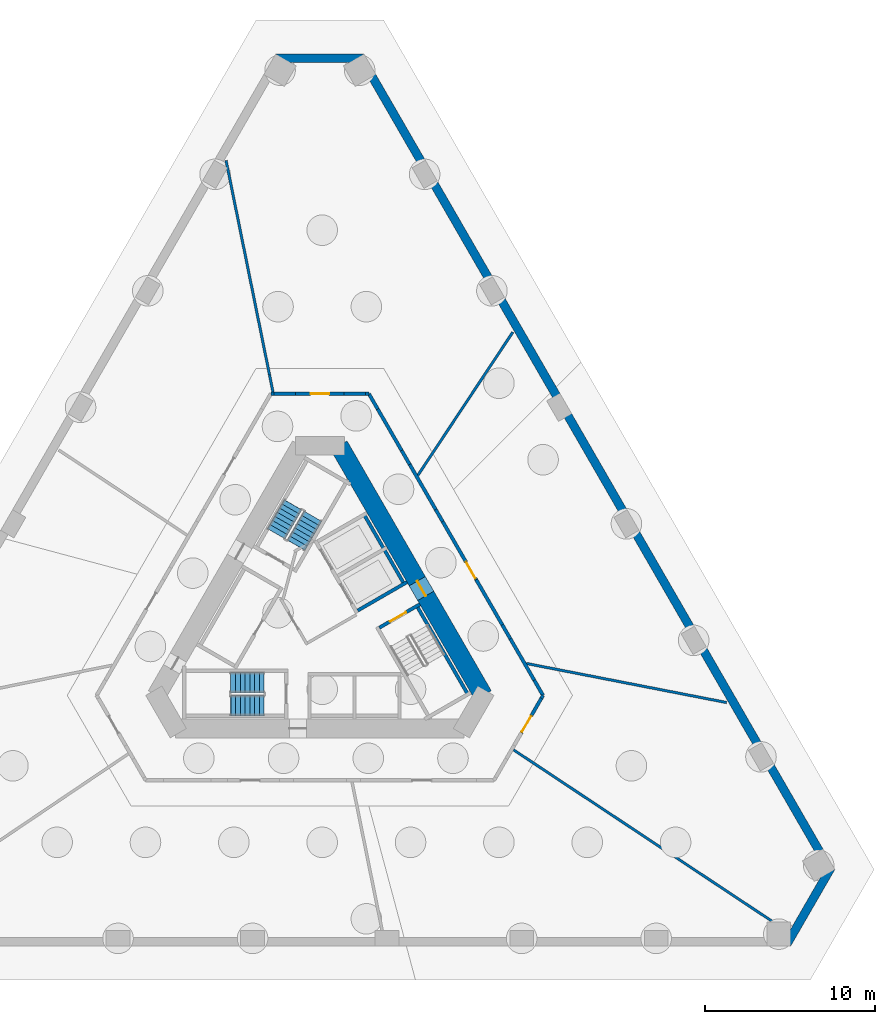
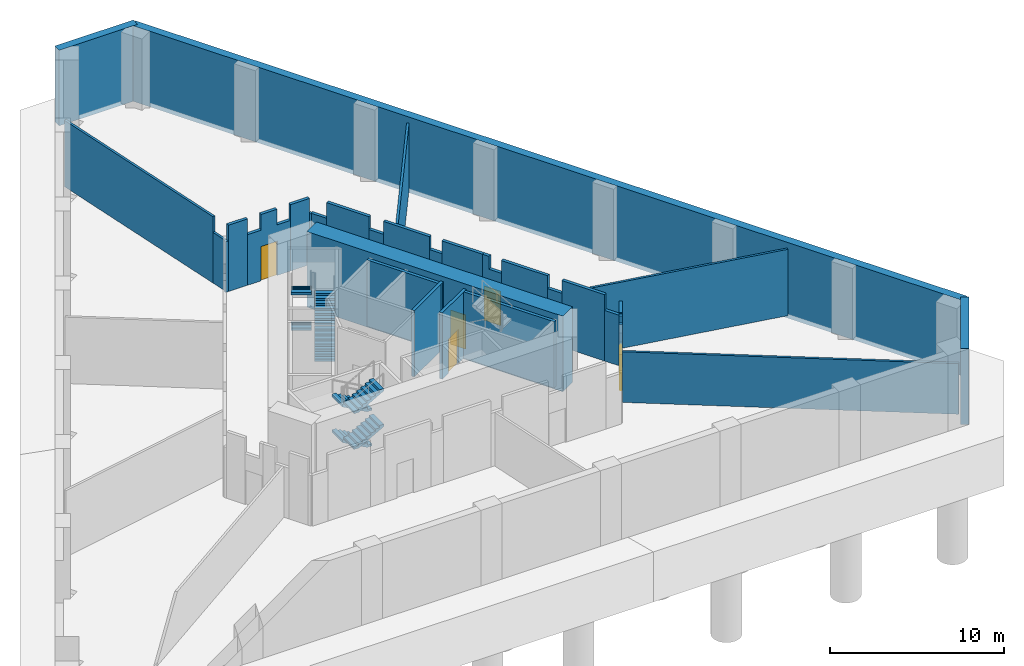
# One storey, part 4 of 7: 32 walls, 8 stair flights, 5 doors, 5 openings, 2 elements without a shape of their own.
"""IFC4 building model written with IfcOpenShell, lengths in metres."""

from ifc_helpers import new_model, si_unit, direction, frame, frame_2d, origin, place, context, subcontext, project, spatial, polyline, rectangle, outline, extrude, material, layer, layer_set, type_object, element, fill, aggregate, save


model = new_model("IFC4")

# Units and contexts
model_context = context("Model", 3, precision=1e-05, world=origin(), true_north=direction((0.0, 1.0)))
body_context = subcontext(model_context, "Body", "Model", "MODEL_VIEW")
ifc_project = project(units=[si_unit("LENGTHUNIT", "METRE"), si_unit("AREAUNIT", "SQUARE_METRE"), si_unit("VOLUMEUNIT", "CUBIC_METRE"), si_unit("PLANEANGLEUNIT", "RADIAN"), si_unit("MASSUNIT", "GRAM", prefix="KILO")], contexts=[model_context])

# Site, building, storey
site_placement = place(None, origin())
site = spatial("IfcSite", under=ifc_project, at=site_placement, CompositionType="ELEMENT")
building_placement = place(site_placement, origin())
building = spatial("IfcBuilding", under=site, at=building_placement, Name="Tramontana Tower", CompositionType="ELEMENT")
storey_placement = place(building_placement, frame((0.0, 0.0, -5.0)))
storey = spatial("IfcBuildingStorey", under=building, at=storey_placement, Name="B1", CompositionType="ELEMENT", Elevation=-5.0)

# Walls
ifc_material_1 = material(Name="Concrete 50 MPa", Category="concrete")
ifc_layer_1 = layer(ifc_material_1, 0.5)
ifc_layer_set_1 = layer_set([ifc_layer_1], Name="Basement wall 500 50 MPa")
wall_type_1 = type_object("IfcWallType", Name="Basement wall 500 50 MPa", PredefinedType="SHEAR", material=ifc_layer_set_1)
for number, where, z_axis, x_axis, name in (
    (1, (2.59814453125, 33.25, -0.300048828125), (0.0, 0.0, 1.0), (-1.0, 0.0, 0.0), "Basement wall 1"),
    (2, (27.496337890625, -18.875, -0.300048828125), (0.0, 0.0, 1.0), (0.50000986103, 0.866019710441, 0.0), "Basement wall 5"),
):
    element("IfcWall", number, at=place(storey_placement, frame(where, z_axis=z_axis, x_axis=x_axis)), inside=storey, type_object=wall_type_1, Name=name, PredefinedType="SHEAR", context=body_context, shape_type="SweptSolid", body=[
        extrude(rectangle(XDim=5.1962890625, YDim=0.5, at=frame_2d((2.59814453125, 0.0))), origin(), (0.0, 0.0, 1.0), 5.300048828125),
    ])
wall_1_placement = place(storey_placement, frame((30.022216796875, -14.5, -0.300048828125), z_axis=(0.0, 0.0, 1.0), x_axis=(-0.500001743317, 0.866024397277, 0.0)))
element("IfcWall", 3, at=wall_1_placement, inside=storey, type_object=wall_type_1, Name="Basement wall 6", PredefinedType="SHEAR", context=body_context, shape_type="SweptSolid", body=[
    extrude(rectangle(XDim=55.136962890625, YDim=0.5, at=frame_2d((27.568359375, 0.0))), origin(), (0.0, 0.0, 1.0), 5.300048828125),
])

# Wall, opening, door
ifc_material_2 = material(Name="Concrete 70 MPa", Category="concrete")
ifc_layer_2 = layer(ifc_material_2, 1.10009765625)
ifc_layer_set_2 = layer_set([ifc_layer_2], Name="Core wall 1100 70 MPa")
wall_type_2 = type_object("IfcWallType", Name="Core wall 1100 70 MPa", PredefinedType="SHEAR", material=ifc_layer_set_2)
wall_2_placement = place(storey_placement, frame((9.61279296875, -4.25, -0.300048828125), z_axis=(0.0, 0.0, 1.0), x_axis=(-0.500001757713, 0.866024388966, 0.0)))
wall_2 = element("IfcWall", 4, at=wall_2_placement, inside=storey, type_object=wall_type_2, Name="Core wall C5 B1", PredefinedType="SHEAR", context=body_context, shape_type="SweptSolid", body=[
    extrude(rectangle(XDim=16.97412109375, YDim=1.10009765625, at=frame_2d((8.487060546875, 0.0))), origin(), (0.0, 0.0, 1.0), 5.300048828125),
])
opening_1_placement = place(wall_2_placement, frame((6.761962890625, 0.0, 0.300048828125)))
opening_1 = element("IfcOpeningElement", 5, at=opening_1_placement, cuts=wall_2, Name="Opening RG3", PredefinedType="OPENING", context=body_context, shape_type="SweptSolid", body=[
    extrude(rectangle(XDim=1.0, YDim=2.39990234375, at=frame_2d((0.5, 1.199951171875))), frame((0.0, 0.56005859375, 0.0), z_axis=(0.0, -1.0, 0.0), x_axis=(1.0, 0.0, 0.0)), (0.0, 0.0, 1.0), 1.1201171875),
])
ifc_material_3 = material(Name="Painted steel", Category="steel")
door_type_1 = type_object("IfcDoorType", Name="RING DOOR 1000", OperationType="SINGLE_SWING_LEFT", PredefinedType="DOOR", material=ifc_material_3)
door_1_placement = place(opening_1_placement, origin())
door_1 = element("IfcDoor", 6, at=door_1_placement, inside=storey, type_object=door_type_1, Name="Door RG3", OperationType="SINGLE_SWING_LEFT", OverallHeight=2.39990234375, OverallWidth=1.0, PredefinedType="DOOR", context=body_context, shape_type="SweptSolid", body=[
    extrude(rectangle(XDim=1.0, YDim=2.39990234375, at=frame_2d((0.5, 1.199951171875))), frame((0.0, 0.02490234375, 0.0), z_axis=(0.0, -1.0, 0.0), x_axis=(1.0, 0.0, 0.0)), (0.0, 0.0, 1.0), 0.050048828125),
])
fill(opening_1, door_1)

# Walls
ifc_material_4 = material(Name="Blockwork", Category="masonry")
ifc_layer_3 = layer(ifc_material_4, 0.199951171875)
ifc_layer_set_3 = layer_set([ifc_layer_3], Name="ENTRY WALL 200")
wall_type_3 = type_object("IfcWallType", Name="ENTRY WALL 200", PredefinedType="SOLIDWALL", material=ifc_layer_set_3)
wall_3_placement = place(storey_placement, frame((2.88671875, 13.5, 0.0), z_axis=(0.0, 0.0, 1.0), x_axis=(0.499994660107, -0.866028486751, 0.0)))
element("IfcWall", 7, at=wall_3_placement, inside=storey, type_object=wall_type_3, Name="Wall ew0-0", PredefinedType="SOLIDWALL", context=body_context, shape_type="SweptSolid", body=[
    extrude(rectangle(XDim=1.03515625, YDim=0.199951171875, at=frame_2d((0.517578125, 0.0))), origin(), (0.0, 0.0, 1.0), 3.550048828125),
])
wall_4_placement = place(storey_placement, frame((3.404296875, 12.603515625, 0.0), z_axis=(0.0, 0.0, 1.0), x_axis=(0.500000186108, -0.866025296335, 0.0)))
element("IfcWall", 8, at=wall_4_placement, inside=storey, type_object=wall_type_3, Name="Wall ew0-1", PredefinedType="SOLIDWALL", context=body_context, shape_type="SweptSolid", body=[
    extrude(rectangle(XDim=2.8154296875, YDim=0.199951171875, at=frame_2d((1.40771484375, 0.0))), origin(), (0.0, 0.0, 1.0), 4.64990234375),
])
wall_5_placement = place(storey_placement, frame((4.81201171875, 10.165283203125, 0.0), z_axis=(0.0, 0.0, 1.0), x_axis=(0.500174821557, -0.865924446982, 0.0)))
element("IfcWall", 9, at=wall_5_placement, inside=storey, type_object=wall_type_3, Name="Wall ew0-2", PredefinedType="SOLIDWALL", context=body_context, shape_type="SweptSolid", body=[
    extrude(rectangle(XDim=0.949951171875, YDim=0.199951171875, at=frame_2d((0.47509765625, 0.0))), origin(), (0.0, 0.0, 1.0), 3.75),
])
wall_6_placement = place(storey_placement, frame((5.287109375, 9.3427734375, 0.0), z_axis=(0.0, 0.0, 1.0), x_axis=(0.499952348839, -0.866052913447, 0.0)))
element("IfcWall", 10, at=wall_6_placement, inside=storey, type_object=wall_type_3, Name="Wall ew0-3", PredefinedType="SOLIDWALL", context=body_context, shape_type="SweptSolid", body=[
    extrude(rectangle(XDim=3.064208984375, YDim=0.199951171875, at=frame_2d((1.5322265625, 0.0))), origin(), (0.0, 0.0, 1.0), 4.64990234375),
])
wall_7_placement = place(storey_placement, frame((6.819091796875, 6.68896484375, 0.0), z_axis=(0.0, 0.0, 1.0), x_axis=(0.500118501653, -0.865956976012, 0.0)))
element("IfcWall", 11, at=wall_7_placement, inside=storey, type_object=wall_type_3, Name="Wall ew0-4", PredefinedType="SOLIDWALL", context=body_context, shape_type="SweptSolid", body=[
    extrude(rectangle(XDim=0.818115234375, YDim=0.199951171875, at=frame_2d((0.4091796875, 0.0))), origin(), (0.0, 0.0, 1.0), 3.75),
])
wall_8_placement = place(storey_placement, frame((7.228271484375, 5.98046875, 0.0), z_axis=(0.0, 0.0, 1.0), x_axis=(0.499959160094, -0.866048981431, 0.0)))
element("IfcWall", 12, at=wall_8_placement, inside=storey, type_object=wall_type_3, Name="Wall ew0-5", PredefinedType="SOLIDWALL", context=body_context, shape_type="SweptSolid", body=[
    extrude(rectangle(XDim=2.708251953125, YDim=0.199951171875, at=frame_2d((1.35400390625, 0.0))), origin(), (0.0, 0.0, 1.0), 4.64990234375),
])

# Wall, opening, door
wall_9_placement = place(storey_placement, frame((8.582275390625, 3.635009765625, 0.0), z_axis=(0.0, 0.0, 1.0), x_axis=(0.500034869029, -0.866005271205, 0.0)))
wall_9 = element("IfcWall", 13, at=wall_9_placement, inside=storey, type_object=wall_type_3, Name="Wall ew0-6", PredefinedType="SOLIDWALL", context=body_context, shape_type="SweptSolid", body=[
    extrude(outline(polyline([(0.0, 0.0), (1.240234375, 0.0), (1.239990234375, 3.75), (0.422119140625, 3.75), (0.422119140625, 4.64990234375), (0.0, 4.64990234375), (0.0, 0.0)])), frame((0.0, 0.10009765625, 0.0), z_axis=(0.0, -1.0, 0.0), x_axis=(1.0, 0.0, 0.0)), (0.0, 0.0, 1.0), 0.199951171875),
])
opening_2_placement = place(wall_9_placement, frame((0.050048828125, 0.0, 0.0)))
opening_2 = element("IfcOpeningElement", 14, at=opening_2_placement, cuts=wall_9, Name="Opening B1-01", PredefinedType="OPENING", context=body_context, shape_type="SweptSolid", body=[
    extrude(rectangle(XDim=1.10009765625, YDim=2.39990234375, at=frame_2d((0.550048828125, 1.199951171875))), frame((0.0, 0.10986328125, 0.0), z_axis=(0.0, -1.0, 0.0), x_axis=(1.0, 0.0, 0.0)), (0.0, 0.0, 1.0), 0.219970703125),
])
ifc_material_5 = material(Name="Painted timber", Category="wood")
door_type_2 = type_object("IfcDoorType", Name="DOOR ENTRY 1100", OperationType="SINGLE_SWING_LEFT", PredefinedType="DOOR", material=ifc_material_5)
door_2_placement = place(opening_2_placement, origin())
door_2 = element("IfcDoor", 15, at=door_2_placement, inside=storey, type_object=door_type_2, Name="Door B1-01", OperationType="SINGLE_SWING_LEFT", OverallHeight=2.39990234375, OverallWidth=1.10009765625, PredefinedType="DOOR", context=body_context, shape_type="SweptSolid", body=[
    extrude(rectangle(XDim=1.10009765625, YDim=2.39990234375, at=frame_2d((0.550048828125, 1.199951171875))), frame((0.0, 0.02490234375, 0.0), z_axis=(0.0, -1.0, 0.0), x_axis=(1.0, 0.0, 0.0)), (0.0, 0.0, 1.0), 0.050048828125),
])
fill(opening_2, door_2)

# Walls
wall_10_placement = place(storey_placement, frame((9.202392578125, 2.56103515625, 0.0), z_axis=(0.0, 0.0, 1.0), x_axis=(0.499952348839, -0.866052913447, 0.0)))
element("IfcWall", 16, at=wall_10_placement, inside=storey, type_object=wall_type_3, Name="Wall ew0-7", PredefinedType="SOLIDWALL", context=body_context, shape_type="SweptSolid", body=[
    extrude(rectangle(XDim=3.064208984375, YDim=0.199951171875, at=frame_2d((1.5322265625, 0.0))), origin(), (0.0, 0.0, 1.0), 4.64990234375),
])
wall_11_placement = place(storey_placement, frame((10.734375, -0.0927734375, 0.0), z_axis=(0.0, 0.0, 1.0), x_axis=(0.500174821557, -0.865924446982, 0.0)))
element("IfcWall", 17, at=wall_11_placement, inside=storey, type_object=wall_type_3, Name="Wall ew0-8", PredefinedType="SOLIDWALL", context=body_context, shape_type="SweptSolid", body=[
    extrude(rectangle(XDim=0.949951171875, YDim=0.199951171875, at=frame_2d((0.47509765625, 0.0))), origin(), (0.0, 0.0, 1.0), 3.75),
])
wall_12_placement = place(storey_placement, frame((11.20947265625, -0.915283203125, 0.0), z_axis=(0.0, 0.0, 1.0), x_axis=(0.49993514545, -0.866062844338, 0.0)))
element("IfcWall", 18, at=wall_12_placement, inside=storey, type_object=wall_type_3, Name="Wall ew0-9", PredefinedType="SOLIDWALL", context=body_context, shape_type="SweptSolid", body=[
    extrude(rectangle(XDim=2.815185546875, YDim=0.199951171875, at=frame_2d((1.40771484375, 0.0))), origin(), (0.0, 0.0, 1.0), 4.64990234375),
])
wall_13_placement = place(storey_placement, frame((12.616943359375, -3.353515625, 0.0), z_axis=(0.0, 0.0, 1.0), x_axis=(0.500171514983, -0.865926356915, 0.0)))
element("IfcWall", 19, at=wall_13_placement, inside=storey, type_object=wall_type_3, Name="Wall ew0-10", PredefinedType="SOLIDWALL", context=body_context, shape_type="SweptSolid", body=[
    extrude(rectangle(XDim=1.035400390625, YDim=0.199951171875, at=frame_2d((0.517578125, 0.0))), origin(), (0.0, 0.0, 1.0), 3.550048828125),
])
wall_14_placement = place(storey_placement, frame((13.134765625, -4.25, 0.0), z_axis=(0.0, 0.0, 1.0), x_axis=(-0.499865263774, -0.866103179807, 0.0)))
element("IfcWall", 20, at=wall_14_placement, inside=storey, type_object=wall_type_3, Name="Wall ew1-0", PredefinedType="SOLIDWALL", context=body_context, shape_type="SweptSolid", body=[
    extrude(rectangle(XDim=0.197265625, YDim=0.199951171875, at=frame_2d((0.0986328125, 0.0))), origin(), (0.0, 0.0, 1.0), 3.550048828125),
])
wall_15_placement = place(storey_placement, frame((13.0361328125, -4.4208984375, 0.0), z_axis=(0.0, 0.0, 1.0), x_axis=(-0.500096844764, -0.865969483213, 0.0)))
element("IfcWall", 21, at=wall_15_placement, inside=storey, type_object=wall_type_3, Name="Wall ew1-1", PredefinedType="SOLIDWALL", context=body_context, shape_type="SweptSolid", body=[
    extrude(rectangle(XDim=1.147705078125, YDim=0.199951171875, at=frame_2d((0.57373046875, 0.0))), origin(), (0.0, 0.0, 1.0), 4.64990234375),
])

# Wall, opening, door
wall_16_placement = place(storey_placement, frame((12.462158203125, -5.414794921875, 0.0), z_axis=(0.0, 0.0, 1.0), x_axis=(-0.499969057507, -0.866043267704, 0.0)))
wall_16 = element("IfcWall", 22, at=wall_16_placement, inside=storey, type_object=wall_type_3, Name="Wall ew1-2", PredefinedType="SOLIDWALL", context=body_context, shape_type="SweptSolid", body=[
    extrude(outline(polyline([(0.0, 0.0), (1.19970703125, 0.0), (1.199951171875, 4.64990234375), (1.021484375, 4.64990234375), (1.021484375, 3.550048828125), (0.119140625, 3.550048828125), (0.119140625, 4.64990234375), (0.0, 4.64990234375), (0.0, 0.0)])), frame((0.0, 0.10009765625, 0.0), z_axis=(0.0, -1.0, 0.0), x_axis=(1.0, 0.0, 0.0)), (0.0, 0.0, 1.0), 0.199951171875),
])
opening_3_placement = place(wall_16_placement, frame((0.050048828125, 0.0, 0.0)))
opening_3 = element("IfcOpeningElement", 23, at=opening_3_placement, cuts=wall_16, Name="Opening B1-08", PredefinedType="OPENING", context=body_context, shape_type="SweptSolid", body=[
    extrude(rectangle(XDim=1.10009765625, YDim=2.39990234375, at=frame_2d((0.550048828125, 1.199951171875))), frame((0.0, 0.10986328125, 0.0), z_axis=(0.0, -1.0, 0.0), x_axis=(1.0, 0.0, 0.0)), (0.0, 0.0, 1.0), 0.219970703125),
])
door_3_placement = place(opening_3_placement, origin())
door_3 = element("IfcDoor", 24, at=door_3_placement, inside=storey, type_object=door_type_2, Name="Door B1-08", OperationType="SINGLE_SWING_RIGHT", OverallHeight=2.39990234375, OverallWidth=1.10009765625, PredefinedType="DOOR", context=body_context, shape_type="SweptSolid", body=[
    extrude(rectangle(XDim=1.10009765625, YDim=2.39990234375, at=frame_2d((0.550048828125, 1.199951171875))), frame((0.0, 0.02490234375, 0.0), z_axis=(0.0, -1.0, 0.0), x_axis=(1.0, 0.0, 0.0)), (0.0, 0.0, 1.0), 0.050048828125),
])
fill(opening_3, door_3)

# Walls
wall_17_placement = place(storey_placement, frame((-2.88671875, 13.5, 0.0), z_axis=(0.0, 0.0, 1.0), x_axis=(1.0, 0.0, 0.0)))
element("IfcWall", 25, at=wall_17_placement, inside=storey, type_object=wall_type_3, Name="Wall ew5-0", PredefinedType="SOLIDWALL", context=body_context, shape_type="SweptSolid", body=[
    extrude(rectangle(XDim=0.197265625, YDim=0.199951171875, at=frame_2d((0.0986328125, 0.0))), origin(), (0.0, 0.0, 1.0), 3.550048828125),
])
wall_18_placement = place(storey_placement, frame((-2.689453125, 13.5, 0.0), z_axis=(0.0, 0.0, 1.0), x_axis=(1.0, 0.0, 0.0)))
element("IfcWall", 26, at=wall_18_placement, inside=storey, type_object=wall_type_3, Name="Wall ew5-1", PredefinedType="SOLIDWALL", context=body_context, shape_type="SweptSolid", body=[
    extrude(rectangle(XDim=1.266845703125, YDim=0.199951171875, at=frame_2d((0.63330078125, 0.0))), origin(), (0.0, 0.0, 1.0), 4.64990234375),
])

# Wall, opening, door
wall_19_placement = place(storey_placement, frame((-1.422607421875, 13.5, 0.0), z_axis=(0.0, 0.0, 1.0), x_axis=(1.0, 0.0, 0.0)))
wall_19 = element("IfcWall", 27, at=wall_19_placement, inside=storey, type_object=wall_type_3, Name="Wall ew5-2", PredefinedType="SOLIDWALL", context=body_context, shape_type="SweptSolid", body=[
    extrude(outline(polyline([(0.0, 0.0), (2.84521484375, 0.0), (2.84521484375, 3.550048828125), (1.94287109375, 3.550048828125), (1.94287109375, 4.64990234375), (0.90234375, 4.64990234375), (0.90234375, 3.550048828125), (0.0, 3.550048828125), (0.0, 0.0)])), frame((0.0, 0.10009765625, 0.0), z_axis=(0.0, -1.0, 0.0), x_axis=(1.0, 0.0, 0.0)), (0.0, 0.0, 1.0), 0.199951171875),
])
opening_4_placement = place(wall_19_placement, frame((0.87255859375, 0.0, 0.0)))
opening_4 = element("IfcOpeningElement", 28, at=opening_4_placement, cuts=wall_19, Name="Opening B1-02", PredefinedType="OPENING", context=body_context, shape_type="SweptSolid", body=[
    extrude(rectangle(XDim=1.10009765625, YDim=2.39990234375, at=frame_2d((0.550048828125, 1.199951171875))), frame((0.0, 0.10986328125, 0.0), z_axis=(0.0, -1.0, 0.0), x_axis=(1.0, 0.0, 0.0)), (0.0, 0.0, 1.0), 0.219970703125),
])
door_4_placement = place(opening_4_placement, origin())
door_4 = element("IfcDoor", 29, at=door_4_placement, inside=storey, type_object=door_type_2, Name="Door B1-02", OperationType="SINGLE_SWING_RIGHT", OverallHeight=2.39990234375, OverallWidth=1.10009765625, PredefinedType="DOOR", context=body_context, shape_type="SweptSolid", body=[
    extrude(rectangle(XDim=1.10009765625, YDim=2.39990234375, at=frame_2d((0.550048828125, 1.199951171875))), frame((0.0, 0.02490234375, 0.0), z_axis=(0.0, -1.0, 0.0), x_axis=(1.0, 0.0, 0.0)), (0.0, 0.0, 1.0), 0.050048828125),
])
fill(opening_4, door_4)

# Walls
wall_20_placement = place(storey_placement, frame((1.422607421875, 13.5, 0.0), z_axis=(0.0, 0.0, 1.0), x_axis=(1.0, 0.0, 0.0)))
element("IfcWall", 30, at=wall_20_placement, inside=storey, type_object=wall_type_3, Name="Wall ew5-3", PredefinedType="SOLIDWALL", context=body_context, shape_type="SweptSolid", body=[
    extrude(rectangle(XDim=1.266845703125, YDim=0.199951171875, at=frame_2d((0.63330078125, 0.0))), origin(), (0.0, 0.0, 1.0), 4.64990234375),
])
wall_21_placement = place(storey_placement, frame((2.689453125, 13.5, 0.0), z_axis=(0.0, 0.0, 1.0), x_axis=(1.0, 0.0, 0.0)))
element("IfcWall", 31, at=wall_21_placement, inside=storey, type_object=wall_type_3, Name="Wall ew5-4", PredefinedType="SOLIDWALL", context=body_context, shape_type="SweptSolid", body=[
    extrude(rectangle(XDim=0.197265625, YDim=0.199951171875, at=frame_2d((0.0986328125, 0.0))), origin(), (0.0, 0.0, 1.0), 3.550048828125),
])
ifc_material_6 = material(Name="Gypsum board partition")
ifc_layer_4 = layer(ifc_material_6, 0.14990234375)
ifc_layer_set_4 = layer_set([ifc_layer_4], Name="PARTITION 150")
wall_type_4 = type_object("IfcWallType", Name="PARTITION 150", PredefinedType="PARTITIONING", material=ifc_layer_set_4)
wall_22_placement = place(storey_placement, frame((-2.7568359375, 13.60009765625, 0.0), z_axis=(0.0, 0.0, 1.0), x_axis=(-0.198613380465, 0.980077917872, 0.0)))
element("IfcWall", 32, at=wall_22_placement, inside=storey, type_object=wall_type_4, Name="Wall fw-pw03-0", PredefinedType="PARTITIONING", context=body_context, shape_type="SweptSolid", body=[
    extrude(rectangle(XDim=1.03369140625, YDim=0.14990234375, at=frame_2d((0.516845703125, 0.0))), origin(), (0.0, 0.0, 1.0), 3.550048828125),
])
wall_23_placement = place(storey_placement, frame((-2.962158203125, 14.61328125, 0.0), z_axis=(0.0, 0.0, 1.0), x_axis=(-0.198681618369, 0.980064086947, 0.0)))
element("IfcWall", 33, at=wall_23_placement, inside=storey, type_object=wall_type_4, Name="Wall fw-pw03-1", PredefinedType="PARTITIONING", context=body_context, shape_type="SweptSolid", body=[
    extrude(rectangle(XDim=12.88037109375, YDim=0.14990234375, at=frame_2d((6.440185546875, 0.0))), origin(), (0.0, 0.0, 1.0), 4.64990234375),
])
wall_24_placement = place(storey_placement, frame((5.770751953125, 8.705078125, 0.0), z_axis=(0.0, 0.0, 1.0), x_axis=(0.552519064747, 0.833500259802, 0.0)))
element("IfcWall", 34, at=wall_24_placement, inside=storey, type_object=wall_type_4, Name="Wall fw-pw05", PredefinedType="PARTITIONING", context=body_context, shape_type="SweptSolid", body=[
    extrude(rectangle(XDim=10.108642578125, YDim=0.14990234375, at=frame_2d((5.05419921875, 0.0))), origin(), (0.0, 0.0, 1.0), 4.64990234375),
])
wall_25_placement = place(storey_placement, frame((11.404296875, -7.4580078125, 0.0), z_axis=(0.0, 0.0, 1.0), x_axis=(0.833492639768, -0.552530559745, 0.0)))
element("IfcWall", 35, at=wall_25_placement, inside=storey, type_object=wall_type_4, Name="Wall fw-pw06-0", PredefinedType="PARTITIONING", context=body_context, shape_type="SweptSolid", body=[
    extrude(rectangle(XDim=19.336669921875, YDim=0.14990234375, at=frame_2d((9.66845703125, 0.0))), origin(), (0.0, 0.0, 1.0), 3.550048828125),
])
wall_26_placement = place(storey_placement, frame((23.94384765625, -4.671875, 0.0), z_axis=(0.0, 0.0, 1.0), x_axis=(-0.981490965154, 0.191508447126, 0.0)))
element("IfcWall", 36, at=wall_26_placement, inside=storey, type_object=wall_type_4, Name="Wall fw-pw07", PredefinedType="PARTITIONING", context=body_context, shape_type="SweptSolid", body=[
    extrude(rectangle(XDim=11.998779296875, YDim=0.14990234375, at=frame_2d((5.99951171875, 0.0))), origin(), (0.0, 0.0, 1.0), 4.64990234375),
])
ifc_material_7 = material(Name="Concrete 70 MPa", Category="concrete")
ifc_layer_5 = layer(ifc_material_7, 0.199951171875)
ifc_layer_set_5 = layer_set([ifc_layer_5], Name="Concrete 70 MPa, 200 mm")
wall_type_5 = type_object("IfcWallType", Name="RC SHAFT BACK WALL 200", PredefinedType="SOLIDWALL", material=ifc_layer_set_5)
wall_27_placement = place(storey_placement, frame((8.759765625, -4.2724609375, 0.0), z_axis=(0.0, 0.0, 1.0), x_axis=(-0.49998037582, 0.866036733513, 0.0)))
element("IfcWall", 37, at=wall_27_placement, inside=storey, type_object=wall_type_5, Name="Wall st3-back", PredefinedType="SOLIDWALL", context=body_context, shape_type="SweptSolid", body=[
    extrude(rectangle(XDim=6.199951171875, YDim=0.199951171875, at=frame_2d((3.10009765625, 0.0))), origin(), (0.0, 0.0, 1.0), 4.64990234375),
])
wall_28_placement = place(storey_placement, frame((5.0048828125, 2.2314453125, 0.0), z_axis=(0.0, 0.0, 1.0), x_axis=(-0.500002801628, 0.866023786258, 0.0)))
element("IfcWall", 38, at=wall_28_placement, inside=storey, type_object=wall_type_5, Name="Wall row2-back", PredefinedType="SOLIDWALL", context=body_context, shape_type="SweptSolid", body=[
    extrude(rectangle(XDim=4.89990234375, YDim=0.199951171875, at=frame_2d((2.449951171875, 0.0))), origin(), (0.0, 0.0, 1.0), 4.64990234375),
])

# Wall, opening, door
ifc_material_8 = material(Name="Concrete 70 MPa", Category="concrete")
ifc_layer_6 = layer(ifc_material_8, 0.199951171875)
ifc_layer_set_6 = layer_set([ifc_layer_6], Name="Concrete 70 MPa, 200 mm")
wall_type_6 = type_object("IfcWallType", Name="RC STAIR AND SHAFT WALL 200", PredefinedType="SOLIDWALL", material=ifc_layer_set_6)
wall_29_placement = place(storey_placement, frame((3.50146484375, -0.2646484375, 0.0), z_axis=(0.0, 0.0, 1.0), x_axis=(0.866027397988, 0.499996545922, 0.0)))
wall_29 = element("IfcWall", 39, at=wall_29_placement, inside=storey, type_object=wall_type_6, Name="Wall st3-near", PredefinedType="SOLIDWALL", context=body_context, shape_type="SweptSolid", body=[
    extrude(rectangle(XDim=2.75, YDim=0.199951171875, at=frame_2d((1.375, 0.0))), origin(), (0.0, 0.0, 1.0), 4.64990234375),
])
opening_5_placement = place(wall_29_placement, frame((0.72509765625, 0.0, 0.0)))
opening_5 = element("IfcOpeningElement", 40, at=opening_5_placement, cuts=wall_29, Name="Opening SD3", PredefinedType="OPENING", context=body_context, shape_type="SweptSolid", body=[
    extrude(rectangle(XDim=1.10009765625, YDim=2.39990234375, at=frame_2d((0.550048828125, 1.199951171875))), frame((0.0, 0.10986328125, 0.0), z_axis=(0.0, -1.0, 0.0), x_axis=(1.0, 0.0, 0.0)), (0.0, 0.0, 1.0), 0.219970703125),
])
ifc_material_9 = material(Name="Painted steel", Category="steel")
door_type_3 = type_object("IfcDoorType", Name="STAIR DOOR 1100", OperationType="SINGLE_SWING_LEFT", PredefinedType="DOOR", material=ifc_material_9)
door_5_placement = place(opening_5_placement, origin())
door_5 = element("IfcDoor", 41, at=door_5_placement, inside=storey, type_object=door_type_3, Name="Door SD3", OperationType="SINGLE_SWING_RIGHT", OverallHeight=2.39990234375, OverallWidth=1.10009765625, PredefinedType="DOOR", context=body_context, shape_type="SweptSolid", body=[
    extrude(rectangle(XDim=1.10009765625, YDim=2.39990234375, at=frame_2d((0.550048828125, 1.199951171875))), frame((0.0, 0.02490234375, 0.0), z_axis=(0.0, -1.0, 0.0), x_axis=(1.0, 0.0, 0.0)), (0.0, 0.0, 1.0), 0.050048828125),
])
fill(opening_5, door_5)

# Wall
wall_30_placement = place(storey_placement, frame((2.226806640625, 0.742919921875, 0.0), z_axis=(0.0, 0.0, 1.0), x_axis=(0.866014461049, 0.500018952895, 0.0)))
element("IfcWall", 42, at=wall_30_placement, inside=storey, type_object=wall_type_6, Name="Wall row2-side0", PredefinedType="SOLIDWALL", context=body_context, shape_type="SweptSolid", body=[
    extrude(rectangle(XDim=3.349853515625, YDim=0.199951171875, at=frame_2d((1.6748046875, 0.0))), origin(), (0.0, 0.0, 1.0), 4.64990234375),
])

# Stair, stair flights
ifc_material_10 = material(Name="Concrete 40 MPa", Category="concrete")
stair_type = type_object("IfcStairType", Name="EXIT STAIR 32 RISERS", PredefinedType="HALF_TURN_STAIR", material=ifc_material_10)
stair_1_placement = place(storey_placement, origin())
stair_1 = element("IfcStair", 43, at=stair_1_placement, inside=storey, type_object=stair_type, Name="B1 Exit stair ST1", PredefinedType="HALF_TURN_STAIR")
ifc_material_11 = material(Name="Concrete 40 MPa", Category="concrete")
ifc_layer_7 = layer(ifc_material_11, 0.14990234375)
ifc_layer_set_7 = layer_set([ifc_layer_7], Name="EXIT STAIR FLIGHT")
stair_flight_type = type_object("IfcStairFlightType", Name="EXIT STAIR FLIGHT", PredefinedType="STRAIGHT", material=ifc_layer_set_7)
stair_flight_1_placement = place(storey_placement, frame((-1.39111328125, 4.590576171875, 0.0), z_axis=(0.0, 0.0, 1.0), x_axis=(0.5, 0.866025403784, 0.0)))
stair_flight_1 = element("IfcStairFlight", 44, at=stair_flight_1_placement, type_object=stair_flight_type, Name="ST1 flight 1", NumberOfRisers=8, NumberOfTreads=7, PredefinedType="STRAIGHT", RiserHeight=0.15625, TreadLength=0.28, context=body_context, shape_type="SweptSolid", body=[
    extrude(outline(polyline([(-0.006103515625, 0.0), (-0.006103515625, 0.0400390625), (0.0, 0.0400390625), (0.0, 0.15625), (0.280029296875, 0.15625), (0.280029296875, 0.3125), (0.56005859375, 0.3125), (0.56005859375, 0.46875), (0.840087890625, 0.46875), (0.840087890625, 0.625), (1.1201171875, 0.625), (1.1201171875, 0.78125), (1.39990234375, 0.78125), (1.39990234375, 0.9375), (1.679931640625, 0.9375), (1.679931640625, 1.09375), (1.9599609375, 1.09375), (1.966064453125, 1.09375), (1.966064453125, 0.922119140625), (0.313720703125, 0.0), (-0.006103515625, 0.0)])), frame((0.0, 0.60009765625, 0.0), z_axis=(0.0, -1.0, 0.0), x_axis=(1.0, 0.0, 0.0)), (0.0, 0.0, 1.0), 1.199951171875),
])
stair_flight_2_placement = place(storey_placement, frame((-1.580322265625, 6.962890625, 1.25), z_axis=(0.0, 0.0, 1.0), x_axis=(-0.5, -0.866025403784, 0.0)))
stair_flight_2 = element("IfcStairFlight", 45, at=stair_flight_2_placement, type_object=stair_flight_type, Name="ST1 flight 2", NumberOfRisers=8, NumberOfTreads=7, PredefinedType="STRAIGHT", RiserHeight=0.15625, TreadLength=0.28, context=body_context, shape_type="SweptSolid", body=[
    extrude(outline(polyline([(-0.006103515625, 0.0), (-0.006103515625, 0.0400390625), (0.0, 0.0400390625), (0.0, 0.15625), (0.280029296875, 0.15625), (0.280029296875, 0.3125), (0.56005859375, 0.3125), (0.56005859375, 0.46875), (0.840087890625, 0.46875), (0.840087890625, 0.625), (1.1201171875, 0.625), (1.1201171875, 0.78125), (1.39990234375, 0.78125), (1.39990234375, 0.9375), (1.679931640625, 0.9375), (1.679931640625, 1.09375), (1.9599609375, 1.09375), (1.966064453125, 1.09375), (1.966064453125, 0.922119140625), (0.313720703125, 0.0), (-0.006103515625, 0.0)])), frame((0.0, 0.60009765625, 0.0), z_axis=(0.0, -1.0, 0.0), x_axis=(1.0, 0.0, 0.0)), (0.0, 0.0, 1.0), 1.199951171875),
])
stair_flight_3_placement = place(storey_placement, frame((-1.39111328125, 4.590576171875, 2.5), z_axis=(0.0, 0.0, 1.0), x_axis=(0.5, 0.866025403784, 0.0)))
stair_flight_3 = element("IfcStairFlight", 46, at=stair_flight_3_placement, type_object=stair_flight_type, Name="ST1 flight 3", NumberOfRisers=8, NumberOfTreads=7, PredefinedType="STRAIGHT", RiserHeight=0.15625, TreadLength=0.28, context=body_context, shape_type="SweptSolid", body=[
    extrude(outline(polyline([(-0.006103515625, 0.0), (-0.006103515625, 0.0400390625), (0.0, 0.0400390625), (0.0, 0.15625), (0.280029296875, 0.15625), (0.280029296875, 0.3125), (0.56005859375, 0.3125), (0.56005859375, 0.46875), (0.840087890625, 0.46875), (0.840087890625, 0.625), (1.1201171875, 0.625), (1.1201171875, 0.78125), (1.39990234375, 0.78125), (1.39990234375, 0.9375), (1.679931640625, 0.9375), (1.679931640625, 1.09375), (1.9599609375, 1.09375), (1.966064453125, 1.09375), (1.966064453125, 0.922119140625), (0.313720703125, 0.0), (-0.006103515625, 0.0)])), frame((0.0, 0.60009765625, 0.0), z_axis=(0.0, -1.0, 0.0), x_axis=(1.0, 0.0, 0.0)), (0.0, 0.0, 1.0), 1.199951171875),
])
stair_flight_4_placement = place(storey_placement, frame((-1.580322265625, 6.962890625, 3.75), z_axis=(0.0, 0.0, 1.0), x_axis=(-0.5, -0.866025403784, 0.0)))
stair_flight_4 = element("IfcStairFlight", 47, at=stair_flight_4_placement, type_object=stair_flight_type, Name="ST1 flight 4", NumberOfRisers=8, NumberOfTreads=7, PredefinedType="STRAIGHT", RiserHeight=0.15625, TreadLength=0.28, context=body_context, shape_type="SweptSolid", body=[
    extrude(outline(polyline([(-0.006103515625, 0.0), (-0.006103515625, 0.0400390625), (0.0, 0.0400390625), (0.0, 0.15625), (0.280029296875, 0.15625), (0.280029296875, 0.3125), (0.56005859375, 0.3125), (0.56005859375, 0.46875), (0.840087890625, 0.46875), (0.840087890625, 0.625), (1.1201171875, 0.625), (1.1201171875, 0.78125), (1.39990234375, 0.78125), (1.39990234375, 0.9375), (1.679931640625, 0.9375), (1.679931640625, 1.09375), (1.9599609375, 1.09375), (1.966064453125, 1.09375), (1.966064453125, 0.922119140625), (0.313720703125, 0.0), (-0.006103515625, 0.0)])), frame((0.0, 0.60009765625, 0.0), z_axis=(0.0, -1.0, 0.0), x_axis=(1.0, 0.0, 0.0)), (0.0, 0.0, 1.0), 1.199951171875),
])
aggregate(stair_1, [stair_flight_1, stair_flight_2, stair_flight_3, stair_flight_4])

stair_2_placement = place(storey_placement, origin())
stair_2 = element("IfcStair", 48, at=stair_2_placement, inside=storey, type_object=stair_type, Name="B1 Exit stair ST2", PredefinedType="HALF_TURN_STAIR")
stair_flight_5_placement = place(storey_placement, frame((-3.280029296875, -3.5, 0.0), z_axis=(0.0, 0.0, 1.0), x_axis=(-1.0, 0.0, 0.0)))
stair_flight_5 = element("IfcStairFlight", 49, at=stair_flight_5_placement, type_object=stair_flight_type, Name="ST2 flight 1", NumberOfRisers=8, NumberOfTreads=7, PredefinedType="STRAIGHT", RiserHeight=0.15625, TreadLength=0.28, context=body_context, shape_type="SweptSolid", body=[
    extrude(outline(polyline([(-0.006103515625, 0.0), (-0.006103515625, 0.0400390625), (0.0, 0.0400390625), (0.0, 0.15625), (0.280029296875, 0.15625), (0.280029296875, 0.3125), (0.56005859375, 0.3125), (0.56005859375, 0.46875), (0.840087890625, 0.46875), (0.840087890625, 0.625), (1.1201171875, 0.625), (1.1201171875, 0.78125), (1.39990234375, 0.78125), (1.39990234375, 0.9375), (1.679931640625, 0.9375), (1.679931640625, 1.09375), (1.9599609375, 1.09375), (1.966064453125, 1.09375), (1.966064453125, 0.922119140625), (0.313720703125, 0.0), (-0.006103515625, 0.0)])), frame((0.0, 0.60009765625, 0.0), z_axis=(0.0, -1.0, 0.0), x_axis=(1.0, 0.0, 0.0)), (0.0, 0.0, 1.0), 1.199951171875),
])
stair_flight_6_placement = place(storey_placement, frame((-5.239990234375, -4.85009765625, 1.25), z_axis=(0.0, 0.0, 1.0), x_axis=(1.0, 0.0, 0.0)))
stair_flight_6 = element("IfcStairFlight", 50, at=stair_flight_6_placement, type_object=stair_flight_type, Name="ST2 flight 2", NumberOfRisers=8, NumberOfTreads=7, PredefinedType="STRAIGHT", RiserHeight=0.15625, TreadLength=0.28, context=body_context, shape_type="SweptSolid", body=[
    extrude(outline(polyline([(-0.006103515625, 0.0), (-0.006103515625, 0.0400390625), (0.0, 0.0400390625), (0.0, 0.15625), (0.280029296875, 0.15625), (0.280029296875, 0.3125), (0.56005859375, 0.3125), (0.56005859375, 0.46875), (0.840087890625, 0.46875), (0.840087890625, 0.625), (1.1201171875, 0.625), (1.1201171875, 0.78125), (1.39990234375, 0.78125), (1.39990234375, 0.9375), (1.679931640625, 0.9375), (1.679931640625, 1.09375), (1.9599609375, 1.09375), (1.966064453125, 1.09375), (1.966064453125, 0.922119140625), (0.313720703125, 0.0), (-0.006103515625, 0.0)])), frame((0.0, 0.60009765625, 0.0), z_axis=(0.0, -1.0, 0.0), x_axis=(1.0, 0.0, 0.0)), (0.0, 0.0, 1.0), 1.199951171875),
])
stair_flight_7_placement = place(storey_placement, frame((-3.280029296875, -3.5, 2.5), z_axis=(0.0, 0.0, 1.0), x_axis=(-1.0, 0.0, 0.0)))
stair_flight_7 = element("IfcStairFlight", 51, at=stair_flight_7_placement, type_object=stair_flight_type, Name="ST2 flight 3", NumberOfRisers=8, NumberOfTreads=7, PredefinedType="STRAIGHT", RiserHeight=0.15625, TreadLength=0.28, context=body_context, shape_type="SweptSolid", body=[
    extrude(outline(polyline([(-0.006103515625, 0.0), (-0.006103515625, 0.0400390625), (0.0, 0.0400390625), (0.0, 0.15625), (0.280029296875, 0.15625), (0.280029296875, 0.3125), (0.56005859375, 0.3125), (0.56005859375, 0.46875), (0.840087890625, 0.46875), (0.840087890625, 0.625), (1.1201171875, 0.625), (1.1201171875, 0.78125), (1.39990234375, 0.78125), (1.39990234375, 0.9375), (1.679931640625, 0.9375), (1.679931640625, 1.09375), (1.9599609375, 1.09375), (1.966064453125, 1.09375), (1.966064453125, 0.922119140625), (0.313720703125, 0.0), (-0.006103515625, 0.0)])), frame((0.0, 0.60009765625, 0.0), z_axis=(0.0, -1.0, 0.0), x_axis=(1.0, 0.0, 0.0)), (0.0, 0.0, 1.0), 1.199951171875),
])
stair_flight_8_placement = place(storey_placement, frame((-5.239990234375, -4.85009765625, 3.75), z_axis=(0.0, 0.0, 1.0), x_axis=(1.0, 0.0, 0.0)))
stair_flight_8 = element("IfcStairFlight", 52, at=stair_flight_8_placement, type_object=stair_flight_type, Name="ST2 flight 4", NumberOfRisers=8, NumberOfTreads=7, PredefinedType="STRAIGHT", RiserHeight=0.15625, TreadLength=0.28, context=body_context, shape_type="SweptSolid", body=[
    extrude(outline(polyline([(-0.006103515625, 0.0), (-0.006103515625, 0.0400390625), (0.0, 0.0400390625), (0.0, 0.15625), (0.280029296875, 0.15625), (0.280029296875, 0.3125), (0.56005859375, 0.3125), (0.56005859375, 0.46875), (0.840087890625, 0.46875), (0.840087890625, 0.625), (1.1201171875, 0.625), (1.1201171875, 0.78125), (1.39990234375, 0.78125), (1.39990234375, 0.9375), (1.679931640625, 0.9375), (1.679931640625, 1.09375), (1.9599609375, 1.09375), (1.966064453125, 1.09375), (1.966064453125, 0.922119140625), (0.313720703125, 0.0), (-0.006103515625, 0.0)])), frame((0.0, 0.60009765625, 0.0), z_axis=(0.0, -1.0, 0.0), x_axis=(1.0, 0.0, 0.0)), (0.0, 0.0, 1.0), 1.199951171875),
])
aggregate(stair_2, [stair_flight_5, stair_flight_6, stair_flight_7, stair_flight_8])

save(model, "model.ifc")
